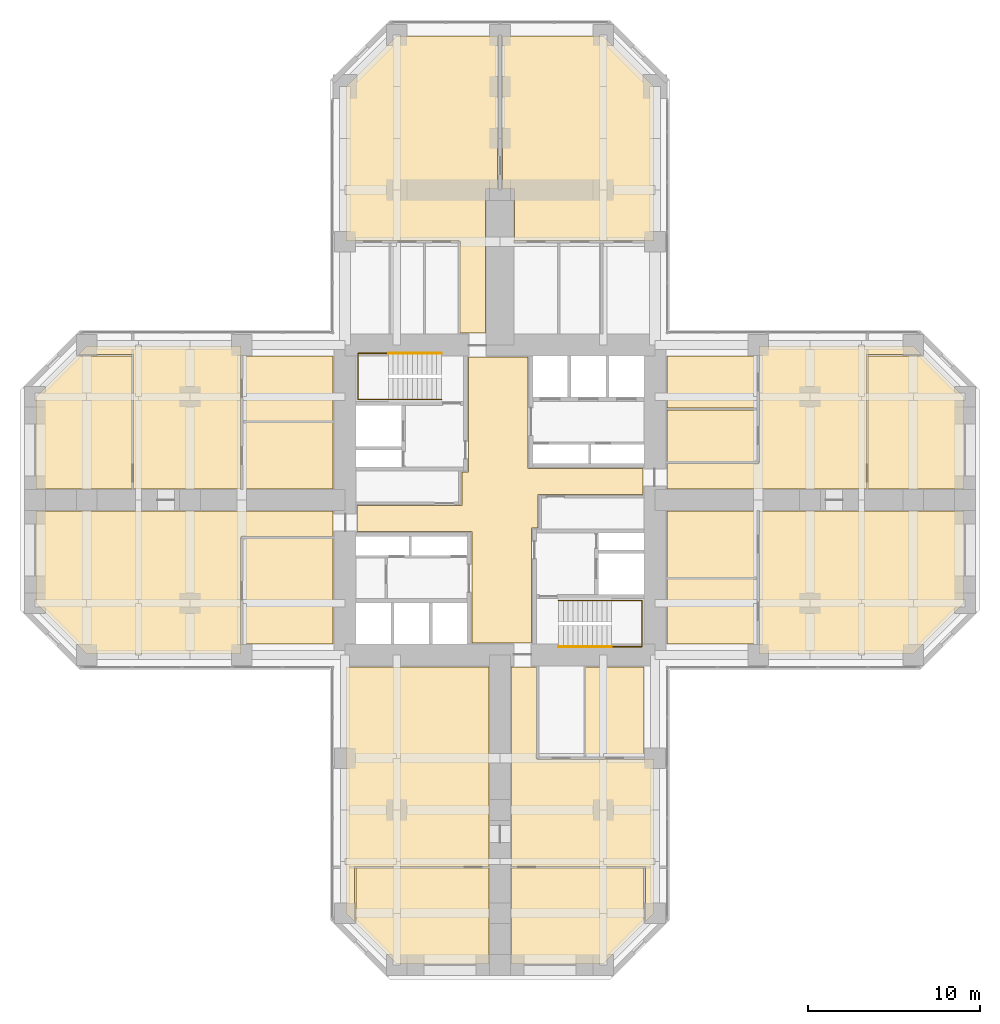
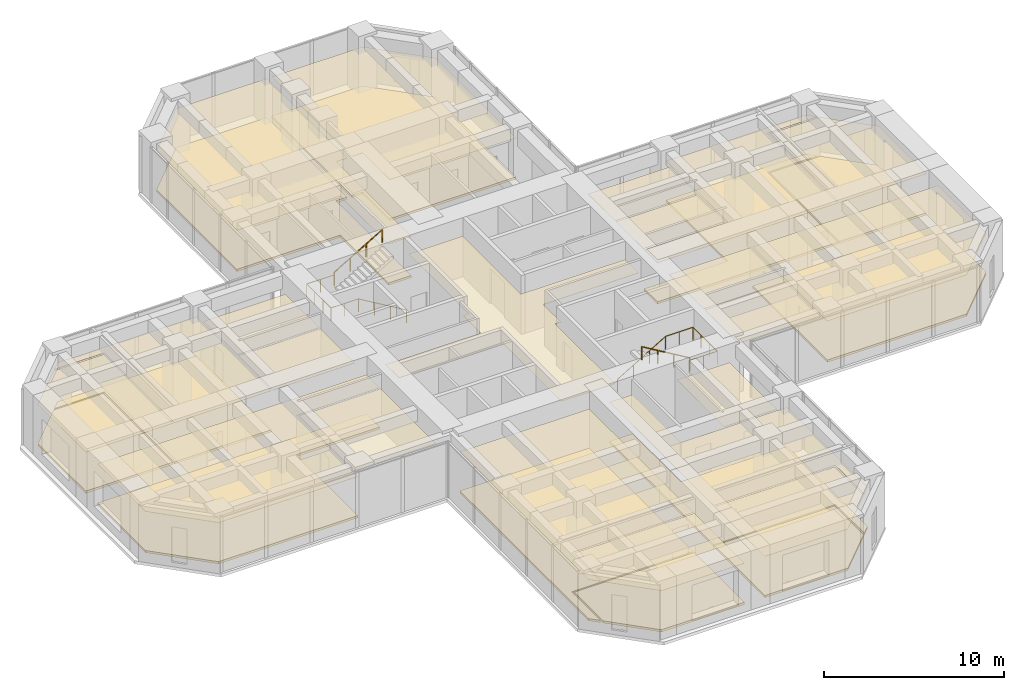
# One storey, part 12 of 12: 33 coverings, 4 railings.
"""IFC4 building model written with IfcOpenShell, lengths in metres."""

from ifc_helpers import new_model, si_unit, direction, frame, origin, origin_2d, place, context, subcontext, project, spatial, polyline, circle, outline, extrude, material, layer, layer_set, constituent, constituent_set, type_object, element, save


model = new_model("IFC4")

# Units and contexts
model_context = context("Model", 3, precision=1e-05, world=origin(), true_north=direction((0.0, 1.0)))
body_context = subcontext(model_context, "Body", "Model", "MODEL_VIEW")
ifc_project = project(units=[si_unit("LENGTHUNIT", "METRE"), si_unit("AREAUNIT", "SQUARE_METRE"), si_unit("VOLUMEUNIT", "CUBIC_METRE"), si_unit("PLANEANGLEUNIT", "RADIAN"), si_unit("MASSUNIT", "GRAM", prefix="KILO")], contexts=[model_context])

# Site, building, storey
site_placement = place(None, origin())
site = spatial("IfcSite", under=ifc_project, at=site_placement, CompositionType="ELEMENT")
building_placement = place(site_placement, origin())
building = spatial("IfcBuilding", under=site, at=building_placement, Name="Torre Cruceta", CompositionType="ELEMENT")
storey_placement = place(building_placement, frame((0.0, 0.0, 87.5)))
storey = spatial("IfcBuildingStorey", under=building, at=storey_placement, Name="L21", CompositionType="ELEMENT", Elevation=87.5)

# Railings
ifc_material_1 = material(Name="Stainless steel 1.4401", Category="steel")
railing_type = type_object("IfcRailingType", Name="HANDRAIL 900", PredefinedType="HANDRAIL", material=ifc_material_1)
railing_1_placement = place(storey_placement, frame((-3.39990234375, 5.8349609375, 0.166748046875)))
element("IfcRailing", 1, at=railing_1_placement, inside=storey, type_object=railing_type, Name="Handrail HR1 ST1 L21", PredefinedType="HANDRAIL", context=body_context, shape_type="SweptSolid", body=[
    extrude(circle(Radius=0.02392578125, at=origin_2d()), frame((0.0, 0.0, 0.8759765625), z_axis=(-0.859308565015, 0.0, 0.511457515432), x_axis=(0.0, -1.0, 0.0)), (0.0, 0.0, 1.0), 3.58447265625),
    extrude(circle(Radius=0.02392578125, at=origin_2d()), frame((-3.080078125, 0.0, 2.708984375), z_axis=(-1.0, 0.0, 0.0), x_axis=(0.0, -1.0, 0.0)), (0.0, 0.0, 1.0), 1.760009765625),
    extrude(circle(Radius=0.02392578125, at=origin_2d()), frame((-4.840087890625, 0.0, 2.708984375), z_axis=(0.0, 1.0, 0.0), x_axis=(-1.0, 0.0, 0.0)), (0.0, 0.0, 1.0), 2.679931640625),
    extrude(circle(Radius=0.02392578125, at=origin_2d()), frame((-4.840087890625, 2.679931640625, 2.708984375), z_axis=(1.0, 0.0, 0.0), x_axis=(0.0, 1.0, 0.0)), (0.0, 0.0, 1.0), 1.760009765625),
    extrude(circle(Radius=0.02099609375, at=origin_2d()), origin(), (0.0, 0.0, 1.0), 0.851806640625),
    extrude(circle(Radius=0.02099609375, at=origin_2d()), frame((-1.026611328125, 0.0, 0.611083984375)), (0.0, 0.0, 1.0), 0.851806640625),
    extrude(circle(Radius=0.02099609375, at=origin_2d()), frame((-2.053466796875, 0.0, 1.22216796875)), (0.0, 0.0, 1.0), 0.851806640625),
    extrude(circle(Radius=0.02099609375, at=origin_2d()), frame((-3.080078125, 0.0, 1.833251953125)), (0.0, 0.0, 1.0), 0.851806640625),
    extrude(circle(Radius=0.02099609375, at=origin_2d()), frame((-3.9599609375, 0.0, 1.833251953125)), (0.0, 0.0, 1.0), 0.851806640625),
    extrude(circle(Radius=0.02099609375, at=origin_2d()), frame((-4.840087890625, 0.0, 1.833251953125)), (0.0, 0.0, 1.0), 0.851806640625),
    extrude(circle(Radius=0.02099609375, at=origin_2d()), frame((-4.840087890625, 0.893310546875, 1.833251953125)), (0.0, 0.0, 1.0), 0.851806640625),
    extrude(circle(Radius=0.02099609375, at=origin_2d()), frame((-4.840087890625, 1.78662109375, 1.833251953125)), (0.0, 0.0, 1.0), 0.851806640625),
    extrude(circle(Radius=0.02099609375, at=origin_2d()), frame((-4.840087890625, 2.679931640625, 1.833251953125)), (0.0, 0.0, 1.0), 0.851806640625),
    extrude(circle(Radius=0.02099609375, at=origin_2d()), frame((-3.9599609375, 2.679931640625, 1.833251953125)), (0.0, 0.0, 1.0), 0.851806640625),
    extrude(circle(Radius=0.02099609375, at=origin_2d()), frame((-3.080078125, 2.679931640625, 1.833251953125)), (0.0, 0.0, 1.0), 0.851806640625),
])
railing_2_placement = place(storey_placement, frame((-6.47998046875, 8.514892578125, 2.166748046875)))
element("IfcRailing", 2, at=railing_2_placement, inside=storey, type_object=railing_type, Name="Handrail HR1 ST1 L21", PredefinedType="HANDRAIL", context=body_context, shape_type="SweptSolid", body=[
    extrude(circle(Radius=0.02392578125, at=origin_2d()), frame((0.0, 0.0, 0.8759765625), z_axis=(0.859308565015, 0.0, 0.511457515432), x_axis=(0.0, 1.0, 0.0)), (0.0, 0.0, 1.0), 3.58447265625),
    extrude(circle(Radius=0.02099609375, at=origin_2d()), origin(), (0.0, 0.0, 1.0), 0.851806640625),
    extrude(circle(Radius=0.02099609375, at=origin_2d()), frame((1.026611328125, 0.0, 0.611083984375)), (0.0, 0.0, 1.0), 0.851806640625),
    extrude(circle(Radius=0.02099609375, at=origin_2d()), frame((2.053466796875, 0.0, 1.22216796875)), (0.0, 0.0, 1.0), 0.851806640625),
    extrude(circle(Radius=0.02099609375, at=origin_2d()), frame((3.080078125, 0.0, 1.833251953125)), (0.0, 0.0, 1.0), 0.851806640625),
])
railing_3_placement = place(storey_placement, frame((3.39990234375, -5.8349609375, 0.166748046875)))
element("IfcRailing", 3, at=railing_3_placement, inside=storey, type_object=railing_type, Name="Handrail HR1 ST2 L21", PredefinedType="HANDRAIL", context=body_context, shape_type="SweptSolid", body=[
    extrude(circle(Radius=0.02392578125, at=origin_2d()), frame((0.0, 0.0, 0.8759765625), z_axis=(0.859308565015, 0.0, 0.511457515432), x_axis=(0.0, 1.0, 0.0)), (0.0, 0.0, 1.0), 3.58447265625),
    extrude(circle(Radius=0.02392578125, at=origin_2d()), frame((3.080078125, 0.0, 2.708984375), z_axis=(1.0, 0.0, 0.0), x_axis=(0.0, 1.0, 0.0)), (0.0, 0.0, 1.0), 1.760009765625),
    extrude(circle(Radius=0.02392578125, at=origin_2d()), frame((4.840087890625, 0.0, 2.708984375), z_axis=(0.0, -1.0, 0.0), x_axis=(1.0, 0.0, 0.0)), (0.0, 0.0, 1.0), 2.679931640625),
    extrude(circle(Radius=0.02392578125, at=origin_2d()), frame((4.840087890625, -2.679931640625, 2.708984375), z_axis=(-1.0, 0.0, 0.0), x_axis=(0.0, -1.0, 0.0)), (0.0, 0.0, 1.0), 1.760009765625),
    extrude(circle(Radius=0.02099609375, at=origin_2d()), origin(), (0.0, 0.0, 1.0), 0.851806640625),
    extrude(circle(Radius=0.02099609375, at=origin_2d()), frame((1.026611328125, 0.0, 0.611083984375)), (0.0, 0.0, 1.0), 0.851806640625),
    extrude(circle(Radius=0.02099609375, at=origin_2d()), frame((2.053466796875, 0.0, 1.22216796875)), (0.0, 0.0, 1.0), 0.851806640625),
    extrude(circle(Radius=0.02099609375, at=origin_2d()), frame((3.080078125, 0.0, 1.833251953125)), (0.0, 0.0, 1.0), 0.851806640625),
    extrude(circle(Radius=0.02099609375, at=origin_2d()), frame((3.9599609375, 0.0, 1.833251953125)), (0.0, 0.0, 1.0), 0.851806640625),
    extrude(circle(Radius=0.02099609375, at=origin_2d()), frame((4.840087890625, 0.0, 1.833251953125)), (0.0, 0.0, 1.0), 0.851806640625),
    extrude(circle(Radius=0.02099609375, at=origin_2d()), frame((4.840087890625, -0.893310546875, 1.833251953125)), (0.0, 0.0, 1.0), 0.851806640625),
    extrude(circle(Radius=0.02099609375, at=origin_2d()), frame((4.840087890625, -1.78662109375, 1.833251953125)), (0.0, 0.0, 1.0), 0.851806640625),
    extrude(circle(Radius=0.02099609375, at=origin_2d()), frame((4.840087890625, -2.679931640625, 1.833251953125)), (0.0, 0.0, 1.0), 0.851806640625),
    extrude(circle(Radius=0.02099609375, at=origin_2d()), frame((3.9599609375, -2.679931640625, 1.833251953125)), (0.0, 0.0, 1.0), 0.851806640625),
    extrude(circle(Radius=0.02099609375, at=origin_2d()), frame((3.080078125, -2.679931640625, 1.833251953125)), (0.0, 0.0, 1.0), 0.851806640625),
])
railing_4_placement = place(storey_placement, frame((6.47998046875, -8.514892578125, 2.166748046875)))
element("IfcRailing", 4, at=railing_4_placement, inside=storey, type_object=railing_type, Name="Handrail HR1 ST2 L21", PredefinedType="HANDRAIL", context=body_context, shape_type="SweptSolid", body=[
    extrude(circle(Radius=0.02392578125, at=origin_2d()), frame((0.0, 0.0, 0.8759765625), z_axis=(-0.859308565015, 0.0, 0.511457515432), x_axis=(0.0, -1.0, 0.0)), (0.0, 0.0, 1.0), 3.58447265625),
    extrude(circle(Radius=0.02099609375, at=origin_2d()), origin(), (0.0, 0.0, 1.0), 0.851806640625),
    extrude(circle(Radius=0.02099609375, at=origin_2d()), frame((-1.026611328125, 0.0, 0.611083984375)), (0.0, 0.0, 1.0), 0.851806640625),
    extrude(circle(Radius=0.02099609375, at=origin_2d()), frame((-2.053466796875, 0.0, 1.22216796875)), (0.0, 0.0, 1.0), 0.851806640625),
    extrude(circle(Radius=0.02099609375, at=origin_2d()), frame((-3.080078125, 0.0, 1.833251953125)), (0.0, 0.0, 1.0), 0.851806640625),
])

# Coverings
ifc_material_2 = material(Name="Steel DX51D", Category="steel")
ifc_constituent_1 = constituent(ifc_material_2, Name="Panel casing")
ifc_material_3 = material(Name="Calcium sulphate", Category="gypsum")
ifc_constituent_2 = constituent(ifc_material_3, Name="Panel core")
ifc_constituent_set = constituent_set(constituents=[ifc_constituent_1, ifc_constituent_2], Name="Raised access floor panel")
covering_type_1 = type_object("IfcCoveringType", Name="RAISED ACCESS FLOOR 150", PredefinedType="FLOORING", material=ifc_constituent_set)
covering_1_placement = place(storey_placement, origin())
element("IfcCovering", 5, at=covering_1_placement, inside=storey, type_object=covering_type_1, Name="Raised floor L21-031", PredefinedType="FLOORING", context=body_context, shape_type="SweptSolid", body=[
    extrude(outline(polyline([(-0.14990234375, 26.949951171875), (-0.14990234375, 18.050048828125), (-0.85009765625, 18.050048828125), (-0.85009765625, 9.699951171875), (-2.324951171875, 9.699951171875), (-2.324951171875, 15.050048828125), (-8.949951171875, 15.050048828125), (-8.949951171875, 23.979248046875), (-5.979248046875, 26.949951171875), (-0.14990234375, 26.949951171875)])), origin(), (0.0, 0.0, 1.0), 0.14990234375),
])
covering_2_placement = place(storey_placement, origin())
element("IfcCovering", 6, at=covering_2_placement, inside=storey, type_object=covering_type_1, Name="Raised floor L21-032", PredefinedType="FLOORING", context=body_context, shape_type="SweptSolid", body=[
    extrude(outline(polyline([(5.979248046875, 26.949951171875), (8.949951171875, 23.979248046875), (8.949951171875, 15.050048828125), (0.85009765625, 15.050048828125), (0.85009765625, 18.050048828125), (0.14990234375, 18.050048828125), (0.14990234375, 26.949951171875), (5.979248046875, 26.949951171875)])), origin(), (0.0, 0.0, 1.0), 0.14990234375),
])
covering_3_placement = place(storey_placement, origin())
element("IfcCovering", 7, at=covering_3_placement, inside=storey, type_object=covering_type_1, Name="Raised floor L21-037", PredefinedType="FLOORING", context=body_context, shape_type="SweptSolid", body=[
    extrude(outline(polyline([(26.949951171875, 0.64990234375), (21.3701171875, 0.64990234375), (21.3701171875, 8.35009765625), (24.579345703125, 8.35009765625), (26.949951171875, 5.979248046875), (26.949951171875, 0.64990234375)])), origin(), (0.0, 0.0, 1.0), 0.14990234375),
])
covering_4_placement = place(storey_placement, origin())
element("IfcCovering", 8, at=covering_4_placement, inside=storey, type_object=covering_type_1, Name="Raised floor L21-038", PredefinedType="FLOORING", context=body_context, shape_type="SweptSolid", body=[
    extrude(outline(polyline([(9.699951171875, 2.125), (15.050048828125, 2.125), (15.050048828125, 8.949951171875), (23.979248046875, 8.949951171875), (24.479248046875, 8.449951171875), (21.27001953125, 8.449951171875), (21.27001953125, 0.64990234375), (9.699951171875, 0.64990234375), (9.699951171875, 2.125)])), origin(), (0.0, 0.0, 1.0), 0.14990234375),
])
covering_5_placement = place(storey_placement, origin())
element("IfcCovering", 9, at=covering_5_placement, inside=storey, type_object=covering_type_1, Name="Raised floor L21-039", PredefinedType="FLOORING", context=body_context, shape_type="SweptSolid", body=[
    extrude(outline(polyline([(23.979248046875, -8.949951171875), (15.050048828125, -8.949951171875), (15.050048828125, -0.64990234375), (26.949951171875, -0.64990234375), (26.949951171875, -5.979248046875), (23.979248046875, -8.949951171875)])), origin(), (0.0, 0.0, 1.0), 0.14990234375),
])
covering_6_placement = place(storey_placement, origin())
element("IfcCovering", 10, at=covering_6_placement, inside=storey, type_object=covering_type_1, Name="Raised floor L21-042", PredefinedType="FLOORING", context=body_context, shape_type="SweptSolid", body=[
    extrude(outline(polyline([(0.64990234375, -26.949951171875), (0.64990234375, -21.3701171875), (8.35009765625, -21.3701171875), (8.35009765625, -24.579345703125), (5.979248046875, -26.949951171875), (0.64990234375, -26.949951171875)])), origin(), (0.0, 0.0, 1.0), 0.14990234375),
])
covering_7_placement = place(storey_placement, origin())
element("IfcCovering", 11, at=covering_7_placement, inside=storey, type_object=covering_type_1, Name="Raised floor L21-043", PredefinedType="FLOORING", context=body_context, shape_type="SweptSolid", body=[
    extrude(outline(polyline([(-8.35009765625, -24.579345703125), (-8.35009765625, -21.3701171875), (-0.64990234375, -21.3701171875), (-0.64990234375, -26.949951171875), (-5.979248046875, -26.949951171875), (-8.35009765625, -24.579345703125)])), origin(), (0.0, 0.0, 1.0), 0.14990234375),
])
covering_8_placement = place(storey_placement, origin())
element("IfcCovering", 12, at=covering_8_placement, inside=storey, type_object=covering_type_1, Name="Raised floor L21-044", PredefinedType="FLOORING", context=body_context, shape_type="SweptSolid", body=[
    extrude(outline(polyline([(0.64990234375, -21.27001953125), (0.64990234375, -9.699951171875), (2.125, -9.699951171875), (2.125, -15.050048828125), (8.949951171875, -15.050048828125), (8.949951171875, -23.979248046875), (8.449951171875, -24.479248046875), (8.449951171875, -21.27001953125), (0.64990234375, -21.27001953125)])), origin(), (0.0, 0.0, 1.0), 0.14990234375),
])
covering_9_placement = place(storey_placement, origin())
element("IfcCovering", 13, at=covering_9_placement, inside=storey, type_object=covering_type_1, Name="Raised floor L21-045", PredefinedType="FLOORING", context=body_context, shape_type="SweptSolid", body=[
    extrude(outline(polyline([(-8.449951171875, -21.27001953125), (-8.449951171875, -24.479248046875), (-8.949951171875, -23.979248046875), (-8.949951171875, -9.699951171875), (-0.64990234375, -9.699951171875), (-0.64990234375, -21.27001953125), (-8.449951171875, -21.27001953125)])), origin(), (0.0, 0.0, 1.0), 0.14990234375),
])
covering_10_placement = place(storey_placement, origin())
element("IfcCovering", 14, at=covering_10_placement, inside=storey, type_object=covering_type_1, Name="Raised floor L21-049", PredefinedType="FLOORING", context=body_context, shape_type="SweptSolid", body=[
    extrude(outline(polyline([(-24.579345703125, 8.35009765625), (-21.3701171875, 8.35009765625), (-21.3701171875, 0.64990234375), (-26.949951171875, 0.64990234375), (-26.949951171875, 5.979248046875), (-24.579345703125, 8.35009765625)])), origin(), (0.0, 0.0, 1.0), 0.14990234375),
])
covering_11_placement = place(storey_placement, origin())
element("IfcCovering", 15, at=covering_11_placement, inside=storey, type_object=covering_type_1, Name="Raised floor L21-050", PredefinedType="FLOORING", context=body_context, shape_type="SweptSolid", body=[
    extrude(outline(polyline([(-9.699951171875, -2.125), (-15.050048828125, -2.125), (-15.050048828125, -8.949951171875), (-23.979248046875, -8.949951171875), (-26.949951171875, -5.979248046875), (-26.949951171875, -0.64990234375), (-9.699951171875, -0.64990234375), (-9.699951171875, -2.125)])), origin(), (0.0, 0.0, 1.0), 0.14990234375),
])
covering_12_placement = place(storey_placement, origin())
element("IfcCovering", 16, at=covering_12_placement, inside=storey, type_object=covering_type_1, Name="Raised floor L21-051", PredefinedType="FLOORING", context=body_context, shape_type="SweptSolid", body=[
    extrude(outline(polyline([(-21.27001953125, 8.449951171875), (-24.479248046875, 8.449951171875), (-23.979248046875, 8.949951171875), (-15.050048828125, 8.949951171875), (-15.050048828125, 0.64990234375), (-21.27001953125, 0.64990234375), (-21.27001953125, 8.449951171875)])), origin(), (0.0, 0.0, 1.0), 0.14990234375),
])
ifc_material_4 = material(Name="Mineral fibre ceiling tile", Category="gypsum")
ifc_layer = layer(ifc_material_4, 0.02001953125)
ifc_layer_set = layer_set([ifc_layer], Name="Mineral fibre ceiling tile")
covering_type_2 = type_object("IfcCoveringType", Name="SUSPENDED CEILING 20", PredefinedType="CEILING", material=ifc_layer_set)
covering_13_placement = place(storey_placement, frame((0.0, 0.0, 2.780029296875)))
element("IfcCovering", 17, at=covering_13_placement, inside=storey, type_object=covering_type_2, Name="Ceiling L21-001", PredefinedType="CEILING", context=body_context, shape_type="SweptSolid", body=[
    extrude(outline(polyline([(1.824951171875, -8.300048828125), (-1.625, -8.300048828125), (-1.625, -1.824951171875), (-8.300048828125, -1.824951171875), (-8.300048828125, -0.324951171875), (-2.199951171875, -0.324951171875), (-2.199951171875, 1.625), (-1.824951171875, 1.625), (-1.824951171875, 8.300048828125), (1.625, 8.300048828125), (1.625, 1.824951171875), (8.300048828125, 1.824951171875), (8.300048828125, 0.324951171875), (2.199951171875, 0.324951171875), (2.199951171875, -1.625), (1.824951171875, -1.625), (1.824951171875, -8.300048828125)])), origin(), (0.0, 0.0, 1.0), 0.02001953125),
])
covering_14_placement = place(storey_placement, frame((0.0, 0.0, 2.780029296875)))
element("IfcCovering", 18, at=covering_14_placement, inside=storey, type_object=covering_type_2, Name="Ceiling L21-031", PredefinedType="CEILING", context=body_context, shape_type="SweptSolid", body=[
    extrude(outline(polyline([(-0.14990234375, 26.949951171875), (-0.14990234375, 18.050048828125), (-0.85009765625, 18.050048828125), (-0.85009765625, 9.699951171875), (-2.324951171875, 9.699951171875), (-2.324951171875, 15.050048828125), (-8.949951171875, 15.050048828125), (-8.949951171875, 23.979248046875), (-5.979248046875, 26.949951171875), (-0.14990234375, 26.949951171875)])), origin(), (0.0, 0.0, 1.0), 0.02001953125),
])
covering_15_placement = place(storey_placement, frame((0.0, 0.0, 2.780029296875)))
element("IfcCovering", 19, at=covering_15_placement, inside=storey, type_object=covering_type_2, Name="Ceiling L21-032", PredefinedType="CEILING", context=body_context, shape_type="SweptSolid", body=[
    extrude(outline(polyline([(5.979248046875, 26.949951171875), (8.949951171875, 23.979248046875), (8.949951171875, 15.050048828125), (0.85009765625, 15.050048828125), (0.85009765625, 18.050048828125), (0.14990234375, 18.050048828125), (0.14990234375, 26.949951171875), (5.979248046875, 26.949951171875)])), origin(), (0.0, 0.0, 1.0), 0.02001953125),
])
covering_16_placement = place(storey_placement, frame((0.0, 0.0, 2.780029296875)))
element("IfcCovering", 20, at=covering_16_placement, inside=storey, type_object=covering_type_2, Name="Ceiling L21-033", PredefinedType="CEILING", context=body_context, shape_type="SweptSolid", body=[
    extrude(outline(polyline([(9.699951171875, 2.22509765625), (9.699951171875, 5.237548828125), (14.949951171875, 5.237548828125), (14.949951171875, 2.22509765625), (9.699951171875, 2.22509765625)])), origin(), (0.0, 0.0, 1.0), 0.02001953125),
])
covering_17_placement = place(storey_placement, frame((0.0, 0.0, 2.780029296875)))
element("IfcCovering", 21, at=covering_17_placement, inside=storey, type_object=covering_type_2, Name="Ceiling L21-034", PredefinedType="CEILING", context=body_context, shape_type="SweptSolid", body=[
    extrude(outline(polyline([(9.699951171875, 5.33740234375), (9.699951171875, 8.35009765625), (14.949951171875, 8.35009765625), (14.949951171875, 5.33740234375), (9.699951171875, 5.33740234375)])), origin(), (0.0, 0.0, 1.0), 0.02001953125),
])
covering_18_placement = place(storey_placement, frame((0.0, 0.0, 2.780029296875)))
element("IfcCovering", 22, at=covering_18_placement, inside=storey, type_object=covering_type_2, Name="Ceiling L21-035", PredefinedType="CEILING", context=body_context, shape_type="SweptSolid", body=[
    extrude(outline(polyline([(9.699951171875, -4.5), (9.699951171875, -0.64990234375), (14.949951171875, -0.64990234375), (14.949951171875, -4.5), (9.699951171875, -4.5)])), origin(), (0.0, 0.0, 1.0), 0.02001953125),
])
covering_19_placement = place(storey_placement, frame((0.0, 0.0, 2.780029296875)))
element("IfcCovering", 23, at=covering_19_placement, inside=storey, type_object=covering_type_2, Name="Ceiling L21-036", PredefinedType="CEILING", context=body_context, shape_type="SweptSolid", body=[
    extrude(outline(polyline([(9.699951171875, -8.35009765625), (9.699951171875, -4.60009765625), (14.949951171875, -4.60009765625), (14.949951171875, -8.35009765625), (9.699951171875, -8.35009765625)])), origin(), (0.0, 0.0, 1.0), 0.02001953125),
])
covering_20_placement = place(storey_placement, frame((0.0, 0.0, 2.780029296875)))
element("IfcCovering", 24, at=covering_20_placement, inside=storey, type_object=covering_type_2, Name="Ceiling L21-037", PredefinedType="CEILING", context=body_context, shape_type="SweptSolid", body=[
    extrude(outline(polyline([(26.949951171875, 0.64990234375), (21.3701171875, 0.64990234375), (21.3701171875, 8.35009765625), (24.579345703125, 8.35009765625), (26.949951171875, 5.979248046875), (26.949951171875, 0.64990234375)])), origin(), (0.0, 0.0, 1.0), 0.02001953125),
])
covering_21_placement = place(storey_placement, frame((0.0, 0.0, 2.780029296875)))
element("IfcCovering", 25, at=covering_21_placement, inside=storey, type_object=covering_type_2, Name="Ceiling L21-038", PredefinedType="CEILING", context=body_context, shape_type="SweptSolid", body=[
    extrude(outline(polyline([(9.699951171875, 2.125), (15.050048828125, 2.125), (15.050048828125, 8.949951171875), (23.979248046875, 8.949951171875), (24.479248046875, 8.449951171875), (21.27001953125, 8.449951171875), (21.27001953125, 0.64990234375), (9.699951171875, 0.64990234375), (9.699951171875, 2.125)])), origin(), (0.0, 0.0, 1.0), 0.02001953125),
])
covering_22_placement = place(storey_placement, frame((0.0, 0.0, 2.780029296875)))
element("IfcCovering", 26, at=covering_22_placement, inside=storey, type_object=covering_type_2, Name="Ceiling L21-039", PredefinedType="CEILING", context=body_context, shape_type="SweptSolid", body=[
    extrude(outline(polyline([(23.979248046875, -8.949951171875), (15.050048828125, -8.949951171875), (15.050048828125, -0.64990234375), (26.949951171875, -0.64990234375), (26.949951171875, -5.979248046875), (23.979248046875, -8.949951171875)])), origin(), (0.0, 0.0, 1.0), 0.02001953125),
])
covering_23_placement = place(storey_placement, frame((0.0, 0.0, 2.780029296875)))
element("IfcCovering", 27, at=covering_23_placement, inside=storey, type_object=covering_type_2, Name="Ceiling L21-041", PredefinedType="CEILING", context=body_context, shape_type="SweptSolid", body=[
    extrude(outline(polyline([(4.9755859375, -9.699951171875), (8.35009765625, -9.699951171875), (8.35009765625, -14.949951171875), (4.9755859375, -14.949951171875), (4.9755859375, -9.699951171875)])), origin(), (0.0, 0.0, 1.0), 0.02001953125),
])
covering_24_placement = place(storey_placement, frame((0.0, 0.0, 2.780029296875)))
element("IfcCovering", 28, at=covering_24_placement, inside=storey, type_object=covering_type_2, Name="Ceiling L21-042", PredefinedType="CEILING", context=body_context, shape_type="SweptSolid", body=[
    extrude(outline(polyline([(0.64990234375, -26.949951171875), (0.64990234375, -21.3701171875), (8.35009765625, -21.3701171875), (8.35009765625, -24.579345703125), (5.979248046875, -26.949951171875), (0.64990234375, -26.949951171875)])), origin(), (0.0, 0.0, 1.0), 0.02001953125),
])
covering_25_placement = place(storey_placement, frame((0.0, 0.0, 2.780029296875)))
element("IfcCovering", 29, at=covering_25_placement, inside=storey, type_object=covering_type_2, Name="Ceiling L21-043", PredefinedType="CEILING", context=body_context, shape_type="SweptSolid", body=[
    extrude(outline(polyline([(-8.35009765625, -24.579345703125), (-8.35009765625, -21.3701171875), (-0.64990234375, -21.3701171875), (-0.64990234375, -26.949951171875), (-5.979248046875, -26.949951171875), (-8.35009765625, -24.579345703125)])), origin(), (0.0, 0.0, 1.0), 0.02001953125),
])
covering_26_placement = place(storey_placement, frame((0.0, 0.0, 2.780029296875)))
element("IfcCovering", 30, at=covering_26_placement, inside=storey, type_object=covering_type_2, Name="Ceiling L21-044", PredefinedType="CEILING", context=body_context, shape_type="SweptSolid", body=[
    extrude(outline(polyline([(0.64990234375, -21.27001953125), (0.64990234375, -9.699951171875), (2.125, -9.699951171875), (2.125, -15.050048828125), (8.949951171875, -15.050048828125), (8.949951171875, -23.979248046875), (8.449951171875, -24.479248046875), (8.449951171875, -21.27001953125), (0.64990234375, -21.27001953125)])), origin(), (0.0, 0.0, 1.0), 0.02001953125),
])
covering_27_placement = place(storey_placement, frame((0.0, 0.0, 2.780029296875)))
element("IfcCovering", 31, at=covering_27_placement, inside=storey, type_object=covering_type_2, Name="Ceiling L21-045", PredefinedType="CEILING", context=body_context, shape_type="SweptSolid", body=[
    extrude(outline(polyline([(-8.449951171875, -21.27001953125), (-8.449951171875, -24.479248046875), (-8.949951171875, -23.979248046875), (-8.949951171875, -9.699951171875), (-0.64990234375, -9.699951171875), (-0.64990234375, -21.27001953125), (-8.449951171875, -21.27001953125)])), origin(), (0.0, 0.0, 1.0), 0.02001953125),
])
covering_28_placement = place(storey_placement, frame((0.0, 0.0, 2.780029296875)))
element("IfcCovering", 32, at=covering_28_placement, inside=storey, type_object=covering_type_2, Name="Ceiling L21-046", PredefinedType="CEILING", context=body_context, shape_type="SweptSolid", body=[
    extrude(outline(polyline([(-9.699951171875, -2.22509765625), (-9.699951171875, -8.35009765625), (-14.949951171875, -8.35009765625), (-14.949951171875, -2.22509765625), (-9.699951171875, -2.22509765625)])), origin(), (0.0, 0.0, 1.0), 0.02001953125),
])
covering_29_placement = place(storey_placement, frame((0.0, 0.0, 2.780029296875)))
element("IfcCovering", 33, at=covering_29_placement, inside=storey, type_object=covering_type_2, Name="Ceiling L21-047", PredefinedType="CEILING", context=body_context, shape_type="SweptSolid", body=[
    extrude(outline(polyline([(-9.699951171875, 4.5), (-9.699951171875, 0.64990234375), (-14.949951171875, 0.64990234375), (-14.949951171875, 4.5), (-9.699951171875, 4.5)])), origin(), (0.0, 0.0, 1.0), 0.02001953125),
])
covering_30_placement = place(storey_placement, frame((0.0, 0.0, 2.780029296875)))
element("IfcCovering", 34, at=covering_30_placement, inside=storey, type_object=covering_type_2, Name="Ceiling L21-048", PredefinedType="CEILING", context=body_context, shape_type="SweptSolid", body=[
    extrude(outline(polyline([(-9.699951171875, 8.35009765625), (-9.699951171875, 4.60009765625), (-14.949951171875, 4.60009765625), (-14.949951171875, 8.35009765625), (-9.699951171875, 8.35009765625)])), origin(), (0.0, 0.0, 1.0), 0.02001953125),
])
covering_31_placement = place(storey_placement, frame((0.0, 0.0, 2.780029296875)))
element("IfcCovering", 35, at=covering_31_placement, inside=storey, type_object=covering_type_2, Name="Ceiling L21-049", PredefinedType="CEILING", context=body_context, shape_type="SweptSolid", body=[
    extrude(outline(polyline([(-24.579345703125, 8.35009765625), (-21.3701171875, 8.35009765625), (-21.3701171875, 0.64990234375), (-26.949951171875, 0.64990234375), (-26.949951171875, 5.979248046875), (-24.579345703125, 8.35009765625)])), origin(), (0.0, 0.0, 1.0), 0.02001953125),
])
covering_32_placement = place(storey_placement, frame((0.0, 0.0, 2.780029296875)))
element("IfcCovering", 36, at=covering_32_placement, inside=storey, type_object=covering_type_2, Name="Ceiling L21-050", PredefinedType="CEILING", context=body_context, shape_type="SweptSolid", body=[
    extrude(outline(polyline([(-9.699951171875, -2.125), (-15.050048828125, -2.125), (-15.050048828125, -8.949951171875), (-23.979248046875, -8.949951171875), (-26.949951171875, -5.979248046875), (-26.949951171875, -0.64990234375), (-9.699951171875, -0.64990234375), (-9.699951171875, -2.125)])), origin(), (0.0, 0.0, 1.0), 0.02001953125),
])
covering_33_placement = place(storey_placement, frame((0.0, 0.0, 2.780029296875)))
element("IfcCovering", 37, at=covering_33_placement, inside=storey, type_object=covering_type_2, Name="Ceiling L21-051", PredefinedType="CEILING", context=body_context, shape_type="SweptSolid", body=[
    extrude(outline(polyline([(-21.27001953125, 8.449951171875), (-24.479248046875, 8.449951171875), (-23.979248046875, 8.949951171875), (-15.050048828125, 8.949951171875), (-15.050048828125, 0.64990234375), (-21.27001953125, 0.64990234375), (-21.27001953125, 8.449951171875)])), origin(), (0.0, 0.0, 1.0), 0.02001953125),
])

save(model, "model.ifc")
